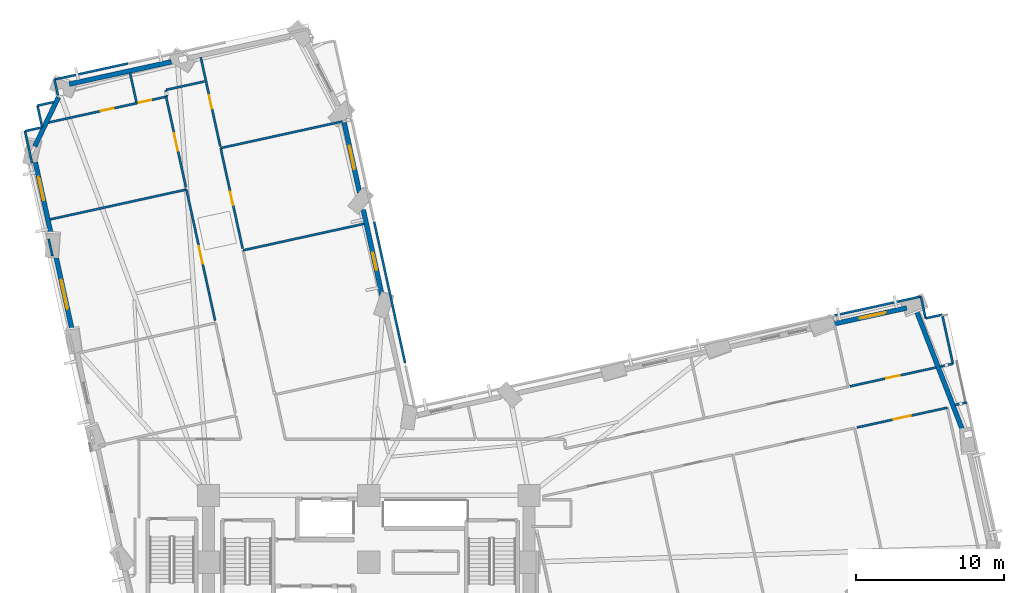
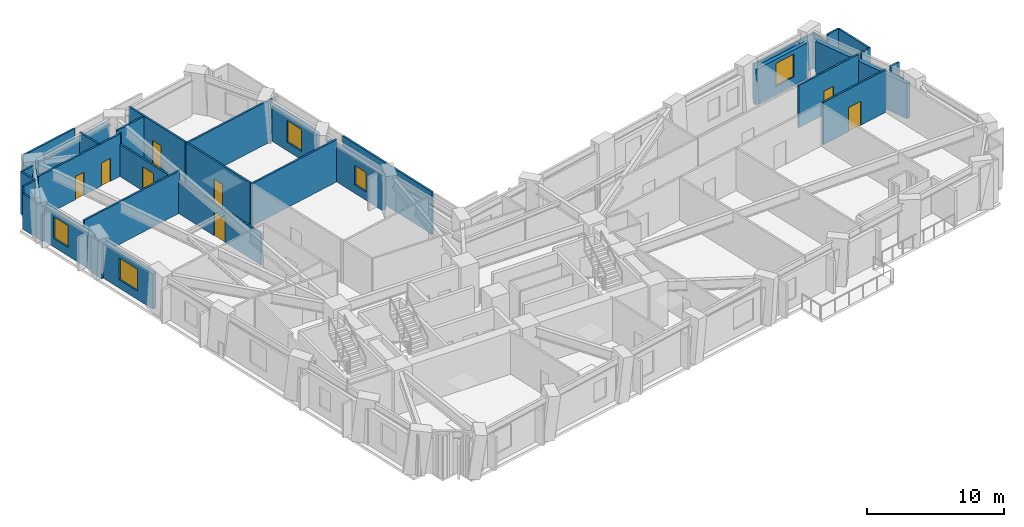
# One storey, part 9 of 14: 35 walls, 8 doors, 5 windows, 13 openings.
"""IFC4 building model written with IfcOpenShell, lengths in metres."""

from ifc_helpers import new_model, si_unit, direction, frame, frame_2d, origin, place, context, subcontext, project, spatial, rectangle, extrude, material, layer, layer_set, type_object, element, fill, save


model = new_model("IFC4")

# Units and contexts
model_context = context("Model", 3, precision=1e-05, world=origin(), true_north=direction((0.0, 1.0)))
body_context = subcontext(model_context, "Body", "Model", "MODEL_VIEW")
ifc_project = project(units=[si_unit("LENGTHUNIT", "METRE"), si_unit("AREAUNIT", "SQUARE_METRE"), si_unit("VOLUMEUNIT", "CUBIC_METRE"), si_unit("PLANEANGLEUNIT", "RADIAN"), si_unit("MASSUNIT", "GRAM", prefix="KILO")], contexts=[model_context])

# Site, building, storey
site_placement = place(None, origin())
site = spatial("IfcSite", under=ifc_project, at=site_placement, CompositionType="ELEMENT")
building_placement = place(site_placement, origin())
building = spatial("IfcBuilding", under=site, at=building_placement, Name="Gaonmaruhae Medical Tower", CompositionType="ELEMENT")
storey_placement = place(building_placement, frame((0.0, 0.0, 75.0)))
storey = spatial("IfcBuildingStorey", under=building, at=storey_placement, Name="L17", CompositionType="ELEMENT", Elevation=75.0)

# Wall
ifc_material_1 = material(Name="Precast concrete C45/55", Category="concrete")
ifc_layer_1 = layer(ifc_material_1, 0.320068359375)
ifc_layer_set_1 = layer_set([ifc_layer_1], Name="Precast concrete C45/55")
wall_type_1 = type_object("IfcWallType", Name="EW-320 Lower Precast Masonry-Frame Facade Wall", PredefinedType="SOLIDWALL", material=ifc_layer_set_1)
wall_1_placement = place(storey_placement, frame((61.718017578125, 29.19482421875, 0.0), z_axis=(0.0, 0.0, 1.0), x_axis=(0.360659329065, -0.93269761893, 0.0)))
element("IfcWall", 1, at=wall_1_placement, inside=storey, type_object=wall_type_1, Name="L17 Precast Masonry-Frame Wall E02-E03", PredefinedType="SOLIDWALL", context=body_context, shape_type="SweptSolid", body=[
    extrude(rectangle(XDim=8.614013671875, YDim=0.320068359375, at=frame_2d((4.30712890625, 0.0))), origin(), (0.0, 0.0, 1.0), 3.1650390625),
])

# Wall, opening, window
wall_2_placement = place(storey_placement, frame((55.95556640625, 28.312744140625, 0.0), z_axis=(0.0, 0.0, 1.0), x_axis=(0.976855050358, 0.213902338907, 0.0)))
wall_2 = element("IfcWall", 2, at=wall_2_placement, inside=storey, type_object=wall_type_1, Name="L17 Precast Masonry-Frame Wall E03-EN01", PredefinedType="SOLIDWALL", context=body_context, shape_type="SweptSolid", body=[
    extrude(rectangle(XDim=5.209228515625, YDim=0.320068359375, at=frame_2d((2.6044921875, 0.0))), origin(), (0.0, 0.0, 1.0), 3.1650390625),
])
opening_1_placement = place(wall_2_placement, frame((1.97216796875, 0.0, 0.75)))
opening_1 = element("IfcOpeningElement", 3, at=opening_1_placement, cuts=wall_2, Name="Opening WN-04", PredefinedType="OPENING", context=body_context, shape_type="SweptSolid", body=[
    extrude(rectangle(XDim=1.800048828125, YDim=2.050048828125, at=frame_2d((0.89990234375, 1.02490234375))), frame((0.0, 0.169921875, 0.0), z_axis=(0.0, -1.0, 0.0), x_axis=(1.0, 0.0, 0.0)), (0.0, 0.0, 1.0), 0.340087890625),
])
ifc_material_2 = material(Name="Anodised aluminium and Low-E double glazing", Category="aluminium")
window_type_1 = type_object("IfcWindowType", Name="WN-04 Clinic & Consult Punched Window 1800x2050", PartitioningType="SINGLE_PANEL", PredefinedType="WINDOW", material=ifc_material_2)
window_1_placement = place(opening_1_placement, origin())
window_1 = element("IfcWindow", 4, at=window_1_placement, inside=storey, type_object=window_type_1, Name="L17 Modular Facade Window E03", OverallHeight=2.050048828125, OverallWidth=1.800048828125, PartitioningType="SINGLE_PANEL", PredefinedType="WINDOW", context=body_context, shape_type="SweptSolid", body=[
    extrude(rectangle(XDim=1.800048828125, YDim=2.050048828125, at=frame_2d((0.89990234375, 1.02490234375))), frame((0.0, 0.030029296875, 0.0), z_axis=(0.0, -1.0, 0.0), x_axis=(1.0, 0.0, 0.0)), (0.0, 0.0, 1.0), 0.06005859375),
])
fill(opening_1, window_1)

wall_3_placement = place(storey_placement, frame((25.71484375, 30.189208984375, 0.0), z_axis=(0.0, 0.0, 1.0), x_axis=(-0.213872937765, 0.976861487874, 0.0)))
wall_3 = element("IfcWall", 5, at=wall_3_placement, inside=storey, type_object=wall_type_1, Name="L17 Precast Masonry-Frame Wall NE01-NE02", PredefinedType="SOLIDWALL", context=body_context, shape_type="SweptSolid", body=[
    extrude(rectangle(XDim=5.996337890625, YDim=0.320068359375, at=frame_2d((2.998046875, 0.0))), origin(), (0.0, 0.0, 1.0), 3.1650390625),
])
opening_2_placement = place(wall_3_placement, frame((1.824951171875, 0.0, 0.75)))
opening_2 = element("IfcOpeningElement", 6, at=opening_2_placement, cuts=wall_3, Name="Opening WN-05", PredefinedType="OPENING", context=body_context, shape_type="SweptSolid", body=[
    extrude(rectangle(XDim=1.199951171875, YDim=1.75, at=frame_2d((0.60009765625, 0.875))), frame((0.0, 0.169921875, 0.0), z_axis=(0.0, -1.0, 0.0), x_axis=(1.0, 0.0, 0.0)), (0.0, 0.0, 1.0), 0.340087890625),
])
window_type_2 = type_object("IfcWindowType", Name="WN-05 Support & Staff Punched Window 1200x1750", PartitioningType="SINGLE_PANEL", PredefinedType="WINDOW", material=ifc_material_2)
window_2_placement = place(opening_2_placement, origin())
window_2 = element("IfcWindow", 7, at=window_2_placement, inside=storey, type_object=window_type_2, Name="L17 Modular Facade Window NE01", OverallHeight=1.75, OverallWidth=1.199951171875, PartitioningType="SINGLE_PANEL", PredefinedType="WINDOW", context=body_context, shape_type="SweptSolid", body=[
    extrude(rectangle(XDim=1.199951171875, YDim=1.75, at=frame_2d((0.60009765625, 0.875))), frame((0.0, 0.030029296875, 0.0), z_axis=(0.0, -1.0, 0.0), x_axis=(1.0, 0.0, 0.0)), (0.0, 0.0, 1.0), 0.06005859375),
])
fill(opening_2, window_2)

wall_4_placement = place(storey_placement, frame((24.1767578125, 37.214111328125, 0.0), z_axis=(0.0, 0.0, 1.0), x_axis=(-0.213875270502, 0.976860977145, 0.0)))
wall_4 = element("IfcWall", 8, at=wall_4_placement, inside=storey, type_object=wall_type_1, Name="L17 Precast Masonry-Frame Wall NE02-NE03", PredefinedType="SOLIDWALL", context=body_context, shape_type="SweptSolid", body=[
    extrude(rectangle(XDim=4.81591796875, YDim=0.320068359375, at=frame_2d((2.407958984375, 0.0))), origin(), (0.0, 0.0, 1.0), 3.1650390625),
])
opening_3_placement = place(wall_4_placement, frame((1.605712890625, 0.0, 0.75)))
opening_3 = element("IfcOpeningElement", 9, at=opening_3_placement, cuts=wall_4, Name="Opening WN-01", PredefinedType="OPENING", context=body_context, shape_type="SweptSolid", body=[
    extrude(rectangle(XDim=1.60009765625, YDim=1.949951171875, at=frame_2d((0.800048828125, 0.97509765625))), frame((0.0, 0.169921875, 0.0), z_axis=(0.0, -1.0, 0.0), x_axis=(1.0, 0.0, 0.0)), (0.0, 0.0, 1.0), 0.340087890625),
])
window_type_3 = type_object("IfcWindowType", Name="WN-01 Ward Punched Acoustic Window 1600x1950", PartitioningType="SINGLE_PANEL", PredefinedType="WINDOW", material=ifc_material_2)
window_3_placement = place(opening_3_placement, origin())
window_3 = element("IfcWindow", 10, at=window_3_placement, inside=storey, type_object=window_type_3, Name="L17 Modular Facade Window NE02", OverallHeight=1.949951171875, OverallWidth=1.60009765625, PartitioningType="SINGLE_PANEL", PredefinedType="WINDOW", context=body_context, shape_type="SweptSolid", body=[
    extrude(rectangle(XDim=1.60009765625, YDim=1.949951171875, at=frame_2d((0.800048828125, 0.97509765625))), frame((0.0, 0.030029296875, 0.0), z_axis=(0.0, -1.0, 0.0), x_axis=(1.0, 0.0, 0.0)), (0.0, 0.0, 1.0), 0.06005859375),
])
fill(opening_3, window_3)

# Walls
wall_5_placement = place(storey_placement, frame((4.627197265625, 44.50927734375, 0.0), z_axis=(0.0, 0.0, 1.0), x_axis=(0.976857659369, 0.213890423658, 0.0)))
element("IfcWall", 11, at=wall_5_placement, inside=storey, type_object=wall_type_1, Name="L17 Precast Masonry-Frame Wall N02-N03", PredefinedType="SOLIDWALL", context=body_context, shape_type="SweptSolid", body=[
    extrude(rectangle(XDim=7.03466796875, YDim=0.320068359375, at=frame_2d((3.517333984375, 0.0))), origin(), (0.0, 0.0, 1.0), 3.1650390625),
])
wall_6_placement = place(storey_placement, frame((2.302734375, 40.316162109375, 0.0), z_axis=(0.0, 0.0, 1.0), x_axis=(0.431724105142, 0.902005707875, 0.0)))
element("IfcWall", 12, at=wall_6_placement, inside=storey, type_object=wall_type_1, Name="L17 Precast Masonry-Frame Wall N03-W01", PredefinedType="SOLIDWALL", context=body_context, shape_type="SweptSolid", body=[
    extrude(rectangle(XDim=3.666259765625, YDim=0.320068359375, at=frame_2d((1.8330078125, 0.0))), origin(), (0.0, 0.0, 1.0), 3.1650390625),
])

# Wall, opening, window
wall_7_placement = place(storey_placement, frame((3.455810546875, 34.13525390625, 0.0), z_axis=(0.0, 0.0, 1.0), x_axis=(-0.213900404294, 0.976855473979, 0.0)))
wall_7 = element("IfcWall", 13, at=wall_7_placement, inside=storey, type_object=wall_type_1, Name="L17 Precast Masonry-Frame Wall W01-W02", PredefinedType="SOLIDWALL", context=body_context, shape_type="SweptSolid", body=[
    extrude(rectangle(XDim=5.222900390625, YDim=0.320068359375, at=frame_2d((2.611328125, 0.0))), origin(), (0.0, 0.0, 1.0), 3.1650390625),
])
opening_4_placement = place(wall_7_placement, frame((2.619873046875, 0.0, 0.75)))
opening_4 = element("IfcOpeningElement", 14, at=opening_4_placement, cuts=wall_7, Name="Opening WN-01", PredefinedType="OPENING", context=body_context, shape_type="SweptSolid", body=[
    extrude(rectangle(XDim=1.60009765625, YDim=1.949951171875, at=frame_2d((0.800048828125, 0.97509765625))), frame((0.0, 0.169921875, 0.0), z_axis=(0.0, -1.0, 0.0), x_axis=(1.0, 0.0, 0.0)), (0.0, 0.0, 1.0), 0.340087890625),
])
window_4_placement = place(opening_4_placement, origin())
window_4 = element("IfcWindow", 15, at=window_4_placement, inside=storey, type_object=window_type_3, Name="L17 Modular Facade Window W01", OverallHeight=1.949951171875, OverallWidth=1.60009765625, PartitioningType="SINGLE_PANEL", PredefinedType="WINDOW", context=body_context, shape_type="SweptSolid", body=[
    extrude(rectangle(XDim=1.60009765625, YDim=1.949951171875, at=frame_2d((0.800048828125, 0.97509765625))), frame((0.0, 0.030029296875, 0.0), z_axis=(0.0, -1.0, 0.0), x_axis=(1.0, 0.0, 0.0)), (0.0, 0.0, 1.0), 0.06005859375),
])
fill(opening_4, window_4)

wall_8_placement = place(storey_placement, frame((4.865478515625, 27.697021484375, 0.0), z_axis=(0.0, 0.0, 1.0), x_axis=(-0.213870791001, 0.976861957882, 0.0)))
wall_8 = element("IfcWall", 16, at=wall_8_placement, inside=storey, type_object=wall_type_1, Name="L17 Precast Masonry-Frame Wall W02-W03", PredefinedType="SOLIDWALL", context=body_context, shape_type="SweptSolid", body=[
    extrude(rectangle(XDim=5.400634765625, YDim=0.320068359375, at=frame_2d((2.7001953125, 0.0))), origin(), (0.0, 0.0, 1.0), 3.1650390625),
])
opening_5_placement = place(wall_8_placement, frame((1.6982421875, 0.0, 0.75)))
opening_5 = element("IfcOpeningElement", 17, at=opening_5_placement, cuts=wall_8, Name="Opening WN-02", PredefinedType="OPENING", context=body_context, shape_type="SweptSolid", body=[
    extrude(rectangle(XDim=2.0, YDim=1.949951171875, at=frame_2d((1.0, 0.97509765625))), frame((0.0, 0.169921875, 0.0), z_axis=(0.0, -1.0, 0.0), x_axis=(1.0, 0.0, 0.0)), (0.0, 0.0, 1.0), 0.340087890625),
])
window_type_4 = type_object("IfcWindowType", Name="WN-02 Double-Bed Ward Punched Window 2000x1950", PartitioningType="SINGLE_PANEL", PredefinedType="WINDOW", material=ifc_material_2)
window_5_placement = place(opening_5_placement, origin())
window_5 = element("IfcWindow", 18, at=window_5_placement, inside=storey, type_object=window_type_4, Name="L17 Modular Facade Window W02", OverallHeight=1.949951171875, OverallWidth=2.0, PartitioningType="SINGLE_PANEL", PredefinedType="WINDOW", context=body_context, shape_type="SweptSolid", body=[
    extrude(rectangle(XDim=2.0, YDim=1.949951171875, at=frame_2d((1.0, 0.97509765625))), frame((0.0, 0.030029296875, 0.0), z_axis=(0.0, -1.0, 0.0), x_axis=(1.0, 0.0, 0.0)), (0.0, 0.0, 1.0), 0.06005859375),
])
fill(opening_5, window_5)

# Wall, opening, door
ifc_material_3 = material(Name="Gypsum board partition", Category="gypsum")
ifc_layer_2 = layer(ifc_material_3, 0.14990234375)
ifc_layer_set_2 = layer_set([ifc_layer_2], Name="Gypsum board partition")
wall_type_2 = type_object("IfcWallType", Name="PW-150 Rated Clinical Corridor Partition", PredefinedType="PARTITIONING", material=ifc_layer_set_2)
wall_9_placement = place(storey_placement, frame((57.68994140625, 21.373046875, 0.0), z_axis=(0.0, 0.0, 1.0), x_axis=(0.976850732773, 0.213922055621, 0.0)))
wall_9 = element("IfcWall", 19, at=wall_9_placement, inside=storey, type_object=wall_type_2, Name="L17 Interior Partition L17-SUP08-38", PredefinedType="PARTITIONING", context=body_context, shape_type="SweptSolid", body=[
    extrude(rectangle(XDim=6.240478515625, YDim=0.14990234375, at=frame_2d((3.1201171875, 0.0))), origin(), (0.0, 0.0, 1.0), 3.780029296875),
])
opening_6_placement = place(wall_9_placement, frame((2.520263671875, 0.0, 0.0)))
opening_6 = element("IfcOpeningElement", 20, at=opening_6_placement, cuts=wall_9, Name="Opening CD-02", PredefinedType="OPENING", context=body_context, shape_type="SweptSolid", body=[
    extrude(rectangle(XDim=1.199951171875, YDim=2.14990234375, at=frame_2d((0.60009765625, 1.074951171875))), frame((0.0, 0.0849609375, 0.0), z_axis=(0.0, -1.0, 0.0), x_axis=(1.0, 0.0, 0.0)), (0.0, 0.0, 1.0), 0.169921875),
])
ifc_material_4 = material(Name="Antimicrobial laminate timber fire door", Category="wood")
door_type_1 = type_object("IfcDoorType", Name="CD-02 Clinical Treatment & Procedure Door 1200x2150", OperationType="NOTDEFINED", PredefinedType="DOOR", material=ifc_material_4)
door_1_placement = place(opening_6_placement, origin())
door_1 = element("IfcDoor", 21, at=door_1_placement, inside=storey, type_object=door_type_1, Name="L17 Clinical Biomedical Charting Office Door", OperationType="SINGLE_SWING_LEFT", OverallHeight=2.14990234375, OverallWidth=1.199951171875, PredefinedType="DOOR", context=body_context, shape_type="SweptSolid", body=[
    extrude(rectangle(XDim=1.199951171875, YDim=2.14990234375, at=frame_2d((0.60009765625, 1.074951171875))), frame((0.0, 0.02490234375, 0.0), z_axis=(0.0, -1.0, 0.0), x_axis=(1.0, 0.0, 0.0)), (0.0, 0.0, 1.0), 0.050048828125),
])
fill(opening_6, door_1)

# Wall
wall_10_placement = place(storey_placement, frame((3.319091796875, 35.39306640625, 0.0), z_axis=(0.0, 0.0, 1.0), x_axis=(0.976854150105, 0.213906450166, 0.0)))
element("IfcWall", 22, at=wall_10_placement, inside=storey, type_object=wall_type_2, Name="L17 Interior Partition L17-WOF11-51", PredefinedType="PARTITIONING", context=body_context, shape_type="SweptSolid", body=[
    extrude(rectangle(XDim=9.4150390625, YDim=0.14990234375, at=frame_2d((4.70751953125, 0.0))), origin(), (0.0, 0.0, 1.0), 3.780029296875),
])

# Wall, opening, door
wall_11_placement = place(storey_placement, frame((12.51611328125, 37.406982421875, 0.0), z_axis=(0.0, 0.0, 1.0), x_axis=(0.213809634747, -0.976875345215, 0.0)))
wall_11 = element("IfcWall", 23, at=wall_11_placement, inside=storey, type_object=wall_type_2, Name="L17 Interior Partition L17-WOF11-52", PredefinedType="PARTITIONING", context=body_context, shape_type="SweptSolid", body=[
    extrude(rectangle(XDim=9.0400390625, YDim=0.14990234375, at=frame_2d((4.52001953125, 0.0))), origin(), (0.0, 0.0, 1.0), 2.864990234375),
])
opening_7_placement = place(wall_11_placement, frame((3.919921875, 0.0, 0.0)))
opening_7 = element("IfcOpeningElement", 24, at=opening_7_placement, cuts=wall_11, Name="Opening CD-02", PredefinedType="OPENING", context=body_context, shape_type="SweptSolid", body=[
    extrude(rectangle(XDim=1.199951171875, YDim=2.14990234375, at=frame_2d((0.60009765625, 1.074951171875))), frame((0.0, 0.0849609375, 0.0), z_axis=(0.0, -1.0, 0.0), x_axis=(1.0, 0.0, 0.0)), (0.0, 0.0, 1.0), 0.169921875),
])
door_2_placement = place(opening_7_placement, origin())
door_2 = element("IfcDoor", 25, at=door_2_placement, inside=storey, type_object=door_type_1, Name="L17 Ward Physician Reporting Office Door", OperationType="SINGLE_SWING_RIGHT", OverallHeight=2.14990234375, OverallWidth=1.199951171875, PredefinedType="DOOR", context=body_context, shape_type="SweptSolid", body=[
    extrude(rectangle(XDim=1.199951171875, YDim=2.14990234375, at=frame_2d((0.60009765625, 1.074951171875))), frame((0.0, 0.02490234375, 0.0), z_axis=(0.0, -1.0, 0.0), x_axis=(1.0, 0.0, 0.0)), (0.0, 0.0, 1.0), 0.050048828125),
])
fill(opening_7, door_2)

# Wall
wall_12_placement = place(storey_placement, frame((3.486083984375, 32.923095703125, 0.0), z_axis=(0.0, 0.0, 1.0), x_axis=(-0.214302312484, 0.976767382166, 0.0)))
element("IfcWall", 26, at=wall_12_placement, inside=storey, type_object=wall_type_2, Name="L17 Interior Partition L17-WOF11-54", PredefinedType="PARTITIONING", context=body_context, shape_type="SweptSolid", body=[
    extrude(rectangle(XDim=1.1904296875, YDim=0.14990234375, at=frame_2d((0.59521484375, 0.0))), origin(), (0.0, 0.0, 1.0), 3.1650390625),
])

# Wall, openings, doors
wall_13_placement = place(storey_placement, frame((3.221923828125, 41.924072265625, 0.0), z_axis=(0.0, 0.0, 1.0), x_axis=(0.976867612807, 0.213844960309, 0.0)))
wall_13 = element("IfcWall", 27, at=wall_13_placement, inside=storey, type_object=wall_type_2, Name="L17 Interior Partition L17-WOF12-55", PredefinedType="PARTITIONING", context=body_context, shape_type="SweptSolid", body=[
    extrude(rectangle(XDim=8.11279296875, YDim=0.14990234375, at=frame_2d((4.056396484375, 0.0))), origin(), (0.0, 0.0, 1.0), 3.780029296875),
])
opening_8_placement = place(wall_13_placement, frame((3.626220703125, 0.0, 0.0)))
opening_8 = element("IfcOpeningElement", 28, at=opening_8_placement, cuts=wall_13, Name="Opening AD-01", PredefinedType="OPENING", context=body_context, shape_type="SweptSolid", body=[
    extrude(rectangle(XDim=0.860107421875, YDim=2.06005859375, at=frame_2d((0.43017578125, 1.030029296875))), frame((0.0, 0.0849609375, 0.0), z_axis=(0.0, -1.0, 0.0), x_axis=(1.0, 0.0, 0.0)), (0.0, 0.0, 1.0), 0.169921875),
])
opening_9_placement = place(wall_13_placement, frame((6.236572265625, 0.0, 0.0)))
opening_9 = element("IfcOpeningElement", 29, at=opening_9_placement, cuts=wall_13, Name="Opening AD-01", PredefinedType="OPENING", context=body_context, shape_type="SweptSolid", body=[
    extrude(rectangle(XDim=0.860107421875, YDim=2.06005859375, at=frame_2d((0.43017578125, 1.030029296875))), frame((0.0, 0.0849609375, 0.0), z_axis=(0.0, -1.0, 0.0), x_axis=(1.0, 0.0, 0.0)), (0.0, 0.0, 1.0), 0.169921875),
])
ifc_material_5 = material(Name="Powder-coated steel access door", Category="steel")
door_type_2 = type_object("IfcDoorType", Name="AD-01 Riser & Closet Access Fire Door 860x2060", OperationType="NOTDEFINED", PredefinedType="DOOR", material=ifc_material_5)
door_3_placement = place(opening_8_placement, origin())
door_3 = element("IfcDoor", 30, at=door_3_placement, inside=storey, type_object=door_type_2, Name="L17 Clinical Case Review Office Sliding Door", OperationType="SLIDING_TO_LEFT", OverallHeight=2.06005859375, OverallWidth=0.860107421875, PredefinedType="DOOR", context=body_context, shape_type="SweptSolid", body=[
    extrude(rectangle(XDim=0.860107421875, YDim=2.06005859375, at=frame_2d((0.43017578125, 1.030029296875))), frame((0.0, 0.02490234375, 0.0), z_axis=(0.0, -1.0, 0.0), x_axis=(1.0, 0.0, 0.0)), (0.0, 0.0, 1.0), 0.050048828125),
])
fill(opening_8, door_3)
door_4_placement = place(opening_9_placement, origin())
door_4 = element("IfcDoor", 31, at=door_4_placement, inside=storey, type_object=door_type_2, Name="L17 Care Team Clinical Charting Office Sliding Door", OperationType="SLIDING_TO_LEFT", OverallHeight=2.06005859375, OverallWidth=0.860107421875, PredefinedType="DOOR", context=body_context, shape_type="SweptSolid", body=[
    extrude(rectangle(XDim=0.860107421875, YDim=2.06005859375, at=frame_2d((0.43017578125, 1.030029296875))), frame((0.0, 0.02490234375, 0.0), z_axis=(0.0, -1.0, 0.0), x_axis=(1.0, 0.0, 0.0)), (0.0, 0.0, 1.0), 0.050048828125),
])
fill(opening_9, door_4)

# Wall, opening, door
wall_14_placement = place(storey_placement, frame((11.14697265625, 43.658935546875, 0.0), z_axis=(0.0, 0.0, 1.0), x_axis=(0.213772719363, -0.97688342419, 0.0)))
wall_14 = element("IfcWall", 32, at=wall_14_placement, inside=storey, type_object=wall_type_2, Name="L17 Interior Partition L17-WOF12-56", PredefinedType="PARTITIONING", context=body_context, shape_type="SweptSolid", body=[
    extrude(rectangle(XDim=6.240234375, YDim=0.14990234375, at=frame_2d((3.1201171875, 0.0))), origin(), (0.0, 0.0, 1.0), 2.864990234375),
])
opening_10_placement = place(wall_14_placement, frame((2.52001953125, 0.0, 0.0)))
opening_10 = element("IfcOpeningElement", 33, at=opening_10_placement, cuts=wall_14, Name="Opening CD-02", PredefinedType="OPENING", context=body_context, shape_type="SweptSolid", body=[
    extrude(rectangle(XDim=1.199951171875, YDim=2.14990234375, at=frame_2d((0.60009765625, 1.074951171875))), frame((0.0, 0.0849609375, 0.0), z_axis=(0.0, -1.0, 0.0), x_axis=(1.0, 0.0, 0.0)), (0.0, 0.0, 1.0), 0.169921875),
])
door_5_placement = place(opening_10_placement, origin())
door_5 = element("IfcDoor", 34, at=door_5_placement, inside=storey, type_object=door_type_1, Name="L17 Ward Physician Reporting Office Door", OperationType="SINGLE_SWING_RIGHT", OverallHeight=2.14990234375, OverallWidth=1.199951171875, PredefinedType="DOOR", context=body_context, shape_type="SweptSolid", body=[
    extrude(rectangle(XDim=1.199951171875, YDim=2.14990234375, at=frame_2d((0.60009765625, 1.074951171875))), frame((0.0, 0.02490234375, 0.0), z_axis=(0.0, -1.0, 0.0), x_axis=(1.0, 0.0, 0.0)), (0.0, 0.0, 1.0), 0.050048828125),
])
fill(opening_10, door_5)

# Walls
wall_15_placement = place(storey_placement, frame((2.114013671875, 39.18798828125, 0.0), z_axis=(0.0, 0.0, 1.0), x_axis=(-0.213970304256, 0.976840165481, 0.0)))
element("IfcWall", 35, at=wall_15_placement, inside=storey, type_object=wall_type_2, Name="L17 Interior Partition L17-WOF12-57", PredefinedType="PARTITIONING", context=body_context, shape_type="SweptSolid", body=[
    extrude(rectangle(XDim=2.210205078125, YDim=0.14990234375, at=frame_2d((1.10498046875, 0.0))), origin(), (0.0, 0.0, 1.0), 3.1650390625),
])
wall_16_placement = place(storey_placement, frame((1.64111328125, 41.346923828125, 0.0), z_axis=(0.0, 0.0, 1.0), x_axis=(0.976634662055, 0.214906344423, 0.0)))
element("IfcWall", 36, at=wall_16_placement, inside=storey, type_object=wall_type_2, Name="L17 Interior Partition L17-WOF12-58", PredefinedType="PARTITIONING", context=body_context, shape_type="SweptSolid", body=[
    extrude(rectangle(XDim=1.149658203125, YDim=0.14990234375, at=frame_2d((0.57470703125, 0.0))), origin(), (0.0, 0.0, 1.0), 3.780029296875),
])
wall_17_placement = place(storey_placement, frame((62.322998046875, 28.73388671875, 0.0), z_axis=(0.0, 0.0, 1.0), x_axis=(0.976817547414, 0.21407353658, 0.0)))
element("IfcWall", 37, at=wall_17_placement, inside=storey, type_object=wall_type_2, Name="L17 Interior Partition L17-IE04-73", PredefinedType="PARTITIONING", context=body_context, shape_type="SweptSolid", body=[
    extrude(rectangle(XDim=1.140380859375, YDim=0.14990234375, at=frame_2d((0.5703125, 0.0))), origin(), (0.0, 0.0, 1.0), 3.780029296875),
])
wall_18_placement = place(storey_placement, frame((63.43701171875, 28.97802734375, 0.0), z_axis=(0.0, 0.0, 1.0), x_axis=(0.213924571592, -0.976850181793, 0.0)))
element("IfcWall", 38, at=wall_18_placement, inside=storey, type_object=wall_type_2, Name="L17 Interior Partition L17-IE04-74", PredefinedType="PARTITIONING", context=body_context, shape_type="SweptSolid", body=[
    extrude(rectangle(XDim=3.389404296875, YDim=0.14990234375, at=frame_2d((1.69482421875, 0.0))), origin(), (0.0, 0.0, 1.0), 3.780029296875),
])
wall_19_placement = place(storey_placement, frame((64.162109375, 25.6669921875, 0.0), z_axis=(0.0, 0.0, 1.0), x_axis=(-0.97680788608, -0.21411761649, 0.0)))
element("IfcWall", 39, at=wall_19_placement, inside=storey, type_object=wall_type_2, Name="L17 Interior Partition L17-IE04-75", PredefinedType="PARTITIONING", context=body_context, shape_type="SweptSolid", body=[
    extrude(rectangle(XDim=0.882568359375, YDim=0.14990234375, at=frame_2d((0.44140625, 0.0))), origin(), (0.0, 0.0, 1.0), 3.780029296875),
])

# Wall, opening, door
wall_20_placement = place(storey_placement, frame((63.032958984375, 25.419921875, 0.0), z_axis=(0.0, 0.0, 1.0), x_axis=(-0.97683732514, -0.213983270871, 0.0)))
wall_20 = element("IfcWall", 40, at=wall_20_placement, inside=storey, type_object=wall_type_2, Name="L17 Interior Partition L17-IE04-76", PredefinedType="PARTITIONING", context=body_context, shape_type="SweptSolid", body=[
    extrude(rectangle(XDim=5.94873046875, YDim=0.14990234375, at=frame_2d((2.974365234375, 0.0))), origin(), (0.0, 0.0, 1.0), 3.780029296875),
])
opening_11_placement = place(wall_20_placement, frame((2.514404296875, 0.0, 0.0)))
opening_11 = element("IfcOpeningElement", 41, at=opening_11_placement, cuts=wall_20, Name="Opening UD-01", PredefinedType="OPENING", context=body_context, shape_type="SweptSolid", body=[
    extrude(rectangle(XDim=0.919921875, YDim=2.10009765625, at=frame_2d((0.4599609375, 1.050048828125))), frame((0.0, 0.0849609375, 0.0), z_axis=(0.0, -1.0, 0.0), x_axis=(1.0, 0.0, 0.0)), (0.0, 0.0, 1.0), 0.169921875),
])
ifc_material_6 = material(Name="Powder-coated steel utility door", Category="steel")
door_type_3 = type_object("IfcDoorType", Name="UD-01 Toilet, Utility & Housekeeping Door 920x2100", OperationType="NOTDEFINED", PredefinedType="DOOR", material=ifc_material_6)
door_6_placement = place(opening_11_placement, origin())
door_6 = element("IfcDoor", 42, at=door_6_placement, inside=storey, type_object=door_type_3, Name="L17 Accessible Public Toilet Door", OperationType="SINGLE_SWING_RIGHT", OverallHeight=2.10009765625, OverallWidth=0.919921875, PredefinedType="DOOR", context=body_context, shape_type="SweptSolid", body=[
    extrude(rectangle(XDim=0.919921875, YDim=2.10009765625, at=frame_2d((0.4599609375, 1.050048828125))), frame((0.0, 0.02490234375, 0.0), z_axis=(0.0, -1.0, 0.0), x_axis=(1.0, 0.0, 0.0)), (0.0, 0.0, 1.0), 0.050048828125),
])
fill(opening_11, door_6)

# Walls
wall_21_placement = place(storey_placement, frame((56.176025390625, 28.924072265625, 0.0), z_axis=(0.0, 0.0, 1.0), x_axis=(0.976848982064, 0.213930049879, 0.0)))
element("IfcWall", 43, at=wall_21_placement, inside=storey, type_object=wall_type_2, Name="L17 Interior Partition L17-IE04-78", PredefinedType="PARTITIONING", context=body_context, shape_type="SweptSolid", body=[
    extrude(rectangle(XDim=5.964111328125, YDim=0.14990234375, at=frame_2d((2.98193359375, 0.0))), origin(), (0.0, 0.0, 1.0), 3.1650390625),
])
wall_22_placement = place(storey_placement, frame((62.001953125, 30.199951171875, 0.0), z_axis=(0.0, 0.0, 1.0), x_axis=(0.213915185985, -0.97685223714, 0.0)))
element("IfcWall", 44, at=wall_22_placement, inside=storey, type_object=wall_type_2, Name="L17 Interior Partition L17-IE04-79", PredefinedType="PARTITIONING", context=body_context, shape_type="SweptSolid", body=[
    extrude(rectangle(XDim=1.500732421875, YDim=0.14990234375, at=frame_2d((0.75048828125, 0.0))), origin(), (0.0, 0.0, 1.0), 3.1650390625),
])
wall_23_placement = place(storey_placement, frame((16.330078125, 33.31298828125, 0.0), z_axis=(0.0, 0.0, 1.0), x_axis=(0.976858107434, 0.213888377294, 0.0)))
element("IfcWall", 45, at=wall_23_placement, inside=storey, type_object=wall_type_2, Name="L17 Interior Partition L17-IN01-81", PredefinedType="PARTITIONING", context=body_context, shape_type="SweptSolid", body=[
    extrude(rectangle(XDim=8.364501953125, YDim=0.14990234375, at=frame_2d((4.18212890625, 0.0))), origin(), (0.0, 0.0, 1.0), 3.780029296875),
])
wall_24_placement = place(storey_placement, frame((25.169921875, 35.2490234375, 0.0), z_axis=(0.0, 0.0, 1.0), x_axis=(0.213832782559, -0.976870278544, 0.0)))
element("IfcWall", 46, at=wall_24_placement, inside=storey, type_object=wall_type_2, Name="L17 Interior Partition L17-IN01-82", PredefinedType="PARTITIONING", context=body_context, shape_type="SweptSolid", body=[
    extrude(rectangle(XDim=9.75048828125, YDim=0.14990234375, at=frame_2d((4.875244140625, 0.0))), origin(), (0.0, 0.0, 1.0), 3.780029296875),
])

# Wall, opening, door
wall_25_placement = place(storey_placement, frame((16.303955078125, 33.429931640625, 0.0), z_axis=(0.0, 0.0, 1.0), x_axis=(-0.213833454661, 0.976870131424, 0.0)))
wall_25 = element("IfcWall", 47, at=wall_25_placement, inside=storey, type_object=wall_type_2, Name="L17 Interior Partition L17-IN02-83", PredefinedType="PARTITIONING", context=body_context, shape_type="SweptSolid", body=[
    extrude(rectangle(XDim=6.930419921875, YDim=0.14990234375, at=frame_2d((3.46533203125, 0.0))), origin(), (0.0, 0.0, 1.0), 3.780029296875),
])
opening_12_placement = place(wall_25_placement, frame((3.005126953125, 0.0, 0.0)))
opening_12 = element("IfcOpeningElement", 48, at=opening_12_placement, cuts=wall_25, Name="Opening UD-01", PredefinedType="OPENING", context=body_context, shape_type="SweptSolid", body=[
    extrude(rectangle(XDim=0.919921875, YDim=2.10009765625, at=frame_2d((0.4599609375, 1.050048828125))), frame((0.0, 0.0849609375, 0.0), z_axis=(0.0, -1.0, 0.0), x_axis=(1.0, 0.0, 0.0)), (0.0, 0.0, 1.0), 0.169921875),
])
door_7_placement = place(opening_12_placement, origin())
door_7 = element("IfcDoor", 49, at=door_7_placement, inside=storey, type_object=door_type_3, Name="L17 Ward Nutrition Pantry Door", OperationType="SINGLE_SWING_LEFT", OverallHeight=2.10009765625, OverallWidth=0.919921875, PredefinedType="DOOR", context=body_context, shape_type="SweptSolid", body=[
    extrude(rectangle(XDim=0.919921875, YDim=2.10009765625, at=frame_2d((0.4599609375, 1.050048828125))), frame((0.0, 0.02490234375, 0.0), z_axis=(0.0, -1.0, 0.0), x_axis=(1.0, 0.0, 0.0)), (0.0, 0.0, 1.0), 0.050048828125),
])
fill(opening_12, door_7)

# Wall
wall_26_placement = place(storey_placement, frame((14.822021484375, 40.199951171875, 0.0), z_axis=(0.0, 0.0, 1.0), x_axis=(0.976860427396, 0.213877781427, 0.0)))
element("IfcWall", 50, at=wall_26_placement, inside=storey, type_object=wall_type_2, Name="L17 Interior Partition L17-IN02-84", PredefinedType="PARTITIONING", context=body_context, shape_type="SweptSolid", body=[
    extrude(rectangle(XDim=8.41162109375, YDim=0.14990234375, at=frame_2d((4.205810546875, 0.0))), origin(), (0.0, 0.0, 1.0), 3.780029296875),
])

# Wall, opening, door
wall_27_placement = place(storey_placement, frame((14.7958984375, 40.31689453125, 0.0), z_axis=(0.0, 0.0, 1.0), x_axis=(-0.213853530585, 0.976865736658, 0.0)))
wall_27 = element("IfcWall", 51, at=wall_27_placement, inside=storey, type_object=wall_type_2, Name="L17 Interior Partition L17-IN03-88", PredefinedType="PARTITIONING", context=body_context, shape_type="SweptSolid", body=[
    extrude(rectangle(XDim=6.135009765625, YDim=0.14990234375, at=frame_2d((3.0673828125, 0.0))), origin(), (0.0, 0.0, 1.0), 3.780029296875),
])
opening_13_placement = place(wall_27_placement, frame((2.607421875, 0.0, 0.0)))
opening_13 = element("IfcOpeningElement", 52, at=opening_13_placement, cuts=wall_27, Name="Opening UD-01", PredefinedType="OPENING", context=body_context, shape_type="SweptSolid", body=[
    extrude(rectangle(XDim=0.919921875, YDim=2.10009765625, at=frame_2d((0.4599609375, 1.050048828125))), frame((0.0, 0.0849609375, 0.0), z_axis=(0.0, -1.0, 0.0), x_axis=(1.0, 0.0, 0.0)), (0.0, 0.0, 1.0), 0.169921875),
])
door_8_placement = place(opening_13_placement, origin())
door_8 = element("IfcDoor", 53, at=door_8_placement, inside=storey, type_object=door_type_3, Name="L17 Public Visitor Toilet Door", OperationType="SINGLE_SWING_LEFT", OverallHeight=2.10009765625, OverallWidth=0.919921875, PredefinedType="DOOR", context=body_context, shape_type="SweptSolid", body=[
    extrude(rectangle(XDim=0.919921875, YDim=2.10009765625, at=frame_2d((0.4599609375, 1.050048828125))), frame((0.0, 0.02490234375, 0.0), z_axis=(0.0, -1.0, 0.0), x_axis=(1.0, 0.0, 0.0)), (0.0, 0.0, 1.0), 0.050048828125),
])
fill(opening_13, door_8)

# Walls
wall_28_placement = place(storey_placement, frame((3.6240234375, 44.822021484375, 0.0), z_axis=(0.0, 0.0, 1.0), x_axis=(0.976877708266, 0.213798837911, 0.0)))
element("IfcWall", 54, at=wall_28_placement, inside=storey, type_object=wall_type_2, Name="L17 Interior Partition L17-RM01-92", PredefinedType="PARTITIONING", context=body_context, shape_type="SweptSolid", body=[
    extrude(rectangle(XDim=5.070068359375, YDim=0.14990234375, at=frame_2d((2.53515625, 0.0))), origin(), (0.0, 0.0, 1.0), 3.780029296875),
])
wall_29_placement = place(storey_placement, frame((8.717041015625, 45.26708984375, 0.0), z_axis=(0.0, 0.0, 1.0), x_axis=(0.213383954957, -0.976968416975, 0.0)))
element("IfcWall", 55, at=wall_29_placement, inside=storey, type_object=wall_type_2, Name="L17 Interior Partition L17-RM01-93", PredefinedType="PARTITIONING", context=body_context, shape_type="SweptSolid", body=[
    extrude(rectangle(XDim=2.07080078125, YDim=0.14990234375, at=frame_2d((1.035400390625, 0.0))), origin(), (0.0, 0.0, 1.0), 3.780029296875),
])
wall_30_placement = place(storey_placement, frame((2.7890625, 41.623046875, 0.0), z_axis=(0.0, 0.0, 1.0), x_axis=(-0.214180229602, 0.976794159098, 0.0)))
element("IfcWall", 56, at=wall_30_placement, inside=storey, type_object=wall_type_2, Name="L17 Interior Partition L17-RM01-94", PredefinedType="PARTITIONING", context=body_context, shape_type="SweptSolid", body=[
    extrude(rectangle(XDim=1.47607421875, YDim=0.14990234375, at=frame_2d((0.738037109375, 0.0))), origin(), (0.0, 0.0, 1.0), 3.780029296875),
])
wall_31_placement = place(storey_placement, frame((2.472900390625, 43.06494140625, 0.0), z_axis=(0.0, 0.0, 1.0), x_axis=(0.976738866434, 0.214432242905, 0.0)))
element("IfcWall", 57, at=wall_31_placement, inside=storey, type_object=wall_type_2, Name="L17 Interior Partition L17-RM01-95", PredefinedType="PARTITIONING", context=body_context, shape_type="SweptSolid", body=[
    extrude(rectangle(XDim=1.138427734375, YDim=0.14990234375, at=frame_2d((0.5693359375, 0.0))), origin(), (0.0, 0.0, 1.0), 3.780029296875),
])
wall_32_placement = place(storey_placement, frame((3.85693359375, 43.7548828125, 0.0), z_axis=(0.0, 0.0, 1.0), x_axis=(-0.213236902245, 0.977000523808, 0.0)))
element("IfcWall", 58, at=wall_32_placement, inside=storey, type_object=wall_type_2, Name="L17 Interior Partition L17-RM01-96", PredefinedType="PARTITIONING", context=body_context, shape_type="SweptSolid", body=[
    extrude(rectangle(XDim=1.09228515625, YDim=0.14990234375, at=frame_2d((0.546142578125, 0.0))), origin(), (0.0, 0.0, 1.0), 2.864990234375),
])
wall_33_placement = place(storey_placement, frame((13.736083984375, 44.69189453125, 0.0), z_axis=(0.0, 0.0, 1.0), x_axis=(-0.976858535273, -0.213886423282, 0.0)))
element("IfcWall", 59, at=wall_33_placement, inside=storey, type_object=wall_type_2, Name="L17 Interior Partition L17-RM02-98", PredefinedType="PARTITIONING", context=body_context, shape_type="SweptSolid", body=[
    extrude(rectangle(XDim=2.650390625, YDim=0.14990234375, at=frame_2d((1.3251953125, 0.0))), origin(), (0.0, 0.0, 1.0), 3.780029296875),
])
wall_34_placement = place(storey_placement, frame((11.1240234375, 44.092041015625, 0.0), z_axis=(0.0, 0.0, 1.0), x_axis=(0.215057657882, -0.976601353566, 0.0)))
element("IfcWall", 60, at=wall_34_placement, inside=storey, type_object=wall_type_2, Name="L17 Interior Partition L17-RM02-99", PredefinedType="PARTITIONING", context=body_context, shape_type="SweptSolid", body=[
    extrude(rectangle(XDim=0.427978515625, YDim=0.14990234375, at=frame_2d((0.2138671875, 0.0))), origin(), (0.0, 0.0, 1.0), 3.780029296875),
])
wall_35_placement = place(storey_placement, frame((64.300048828125, 22.89208984375, 0.0), z_axis=(0.0, 0.0, 1.0), x_axis=(0.976952499966, 0.213456817203, 0.0)))
element("IfcWall", 61, at=wall_35_placement, inside=storey, type_object=wall_type_2, Name="L17 Interior Partition L17-RM03-100", PredefinedType="PARTITIONING", context=body_context, shape_type="SweptSolid", body=[
    extrude(rectangle(XDim=0.81884765625, YDim=0.14990234375, at=frame_2d((0.409423828125, 0.0))), origin(), (0.0, 0.0, 1.0), 3.780029296875),
])

save(model, "model.ifc")
